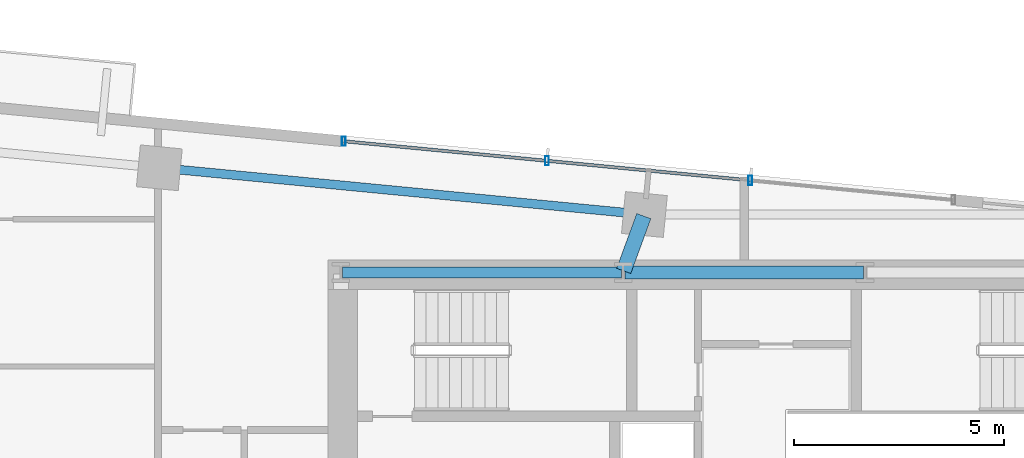
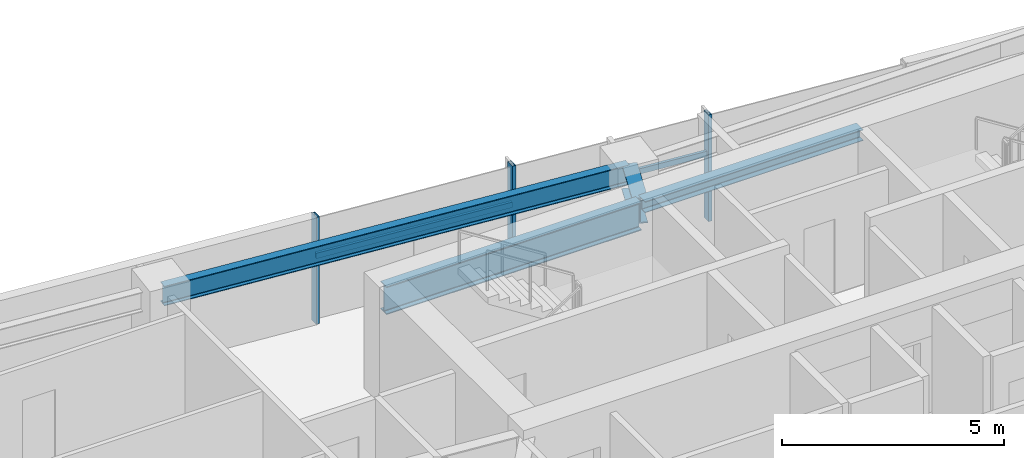
# One storey, part 7 of 19: 5 members, 4 beams, 1 element without a shape of its own.
"""IFC4 building model written with IfcOpenShell, lengths in metres."""

from ifc_helpers import new_model, si_unit, direction, frame, origin, origin_2d, place, context, subcontext, project, spatial, hollow_rectangle, i_section, extrude, source, transform, mapped, material, material_profile, profile_set, type_object, type_shapes, element, aggregate, save


model = new_model("IFC4")

# Units and contexts
model_context = context("Model", 3, precision=1e-05, world=origin(), true_north=direction((0.0, 1.0)))
body_context = subcontext(model_context, "Body", "Model", "MODEL_VIEW")
ifc_project = project(units=[si_unit("LENGTHUNIT", "METRE"), si_unit("AREAUNIT", "SQUARE_METRE"), si_unit("VOLUMEUNIT", "CUBIC_METRE"), si_unit("PLANEANGLEUNIT", "RADIAN"), si_unit("MASSUNIT", "GRAM", prefix="KILO")], contexts=[model_context])

# Site, building, storey
site_placement = place(None, origin())
site = spatial("IfcSite", under=ifc_project, at=site_placement, CompositionType="ELEMENT")
building_placement = place(site_placement, origin())
building = spatial("IfcBuilding", under=site, at=building_placement, Name="Astriad Promenade Condominiums", CompositionType="ELEMENT")
storey_placement = place(building_placement, frame((0.0, 0.0, 143.800048828125)))
storey = spatial("IfcBuildingStorey", under=building, at=storey_placement, Name="L41", CompositionType="ELEMENT", Elevation=143.800048828125)

# Beams
ifc_material_1 = material(Name="Steel ASTM A992 Grade 50", Category="steel")
ifc_material_profile_1 = material_profile(ifc_material_1, i_section(OverallWidth=0.267822265625, OverallDepth=0.76953125, WebThickness=0.015625, FlangeThickness=0.025390625, FilletRadius=0.021484375, at=origin_2d()), Name="W30X132")
ifc_profile_set_1 = profile_set([ifc_material_profile_1], Name="Steel ASTM A992 Grade 50")
beam_type_1 = type_object("IfcBeamType", Name="STEEL FLOOR GIRDER W30X132", PredefinedType="BEAM", material=ifc_profile_set_1)
shared_shape_1 = source(origin(), body_context, "Body", "SweptSolid", [
    extrude(i_section(OverallWidth=0.267822265625, OverallDepth=0.76953125, WebThickness=0.015625, FlangeThickness=0.025390625, FilletRadius=0.021484375, at=origin_2d()), origin(), (0.0, 0.0, 1.0), 6.64013671875),
])
type_shapes(beam_type_1, [shared_shape_1])
beam_1_placement = place(storey_placement, frame((26.43994140625, 24.0, 2.55517578125), z_axis=(1.0, 0.0, 0.0), x_axis=(0.0, 1.0, 0.0)))
element("IfcBeam", 1, at=beam_1_placement, inside=storey, type_object=beam_type_1, Name="Core Ring Beam CG-N1-L41", PredefinedType="BEAM", context=body_context, shape_type="MappedRepresentation", body=[
    mapped(shared_shape_1, transform((0.0, 0.0, 0.0), scale=1.0)),
])
ifc_material_profile_2 = material_profile(ifc_material_1, i_section(OverallWidth=0.3046875, OverallDepth=0.307861328125, WebThickness=0.010009765625, FlangeThickness=0.015380859375, FilletRadius=0.01513671875, at=origin_2d()), Name="W12X65")
ifc_profile_set_2 = profile_set([ifc_material_profile_2], Name="Steel ASTM A992 Grade 50")
beam_type_2 = type_object("IfcBeamType", Name="STEEL OPENING LINTEL W12X65", PredefinedType="LINTEL", material=ifc_profile_set_2)
shared_shape_2 = source(origin(), body_context, "Body", "SweptSolid", [
    extrude(i_section(OverallWidth=0.3046875, OverallDepth=0.307861328125, WebThickness=0.010009765625, FlangeThickness=0.015380859375, FilletRadius=0.01513671875, at=origin_2d()), origin(), (0.0, 0.0, 1.0), 5.68017578125),
])
type_shapes(beam_type_2, [shared_shape_2])
beam_2_placement = place(storey_placement, frame((33.159912109375, 24.0, 2.7861328125), z_axis=(1.0, 0.0, 0.0), x_axis=(0.0, 1.0, 0.0)))
element("IfcBeam", 2, at=beam_2_placement, inside=storey, type_object=beam_type_2, Name="Core Ring Beam CG-N2-L41", PredefinedType="LINTEL", context=body_context, shape_type="MappedRepresentation", body=[
    mapped(shared_shape_2, transform((0.0, 0.0, 0.0), scale=1.0)),
])
ifc_material_profile_3 = material_profile(ifc_material_1, i_section(OverallWidth=0.210693359375, OverallDepth=0.53955078125, WebThickness=0.01171875, FlangeThickness=0.018798828125, FilletRadius=0.0166015625, at=origin_2d()), Name="W21X73")
ifc_profile_set_3 = profile_set([ifc_material_profile_3], Name="Steel ASTM A992 Grade 50")
beam_type_3 = type_object("IfcBeamType", Name="STEEL SPANDREL BEAM W21X73", PredefinedType="SPANDREL", material=ifc_profile_set_3)
shared_shape_3 = source(origin(), body_context, "Body", "SweptSolid", [
    extrude(i_section(OverallWidth=0.210693359375, OverallDepth=0.53955078125, WebThickness=0.01171875, FlangeThickness=0.018798828125, FilletRadius=0.0166015625, at=origin_2d()), origin(), (0.0, 0.0, 1.0), 11.52001953125),
])
type_shapes(beam_type_3, [shared_shape_3])
beam_3_placement = place(storey_placement, frame((33.58642578125, 25.384033203125, 2.670166015625), z_axis=(-0.9953953902, 0.095854145285, 0.0), x_axis=(-0.095854145285, -0.9953953902, 0.0)))
element("IfcBeam", 3, at=beam_3_placement, inside=storey, type_object=beam_type_3, Name="Perimeter Spandrel Beam SP-N2-L41", PredefinedType="SPANDREL", context=body_context, shape_type="MappedRepresentation", body=[
    mapped(shared_shape_3, transform((0.0, 0.0, 0.0), scale=1.0)),
])
ifc_material_profile_4 = material_profile(ifc_material_1, i_section(OverallWidth=0.35791015625, OverallDepth=0.706298828125, WebThickness=0.018310546875, FlangeThickness=0.0302734375, FilletRadius=0.020263671875, at=origin_2d()), Name="W27X178")
ifc_profile_set_4 = profile_set([ifc_material_profile_4], Name="Steel ASTM A992 Grade 50")
beam_type_4 = type_object("IfcBeamType", Name="STEEL FLOOR GIRDER W27X178", PredefinedType="BEAM", material=ifc_profile_set_4)
shared_shape_4 = source(origin(), body_context, "Body", "SweptSolid", [
    extrude(i_section(OverallWidth=0.35791015625, OverallDepth=0.706298828125, WebThickness=0.018310546875, FlangeThickness=0.0302734375, FilletRadius=0.020263671875, at=origin_2d()), origin(), (0.0, 0.0, 1.0), 1.39013671875),
])
type_shapes(beam_type_4, [shared_shape_4])
beam_4_placement = place(storey_placement, frame((33.6123046875, 25.3427734375, 2.586669921875), z_axis=(-0.344223686797, -0.938887668173, 0.0), x_axis=(0.938887668173, -0.344223686797, 0.0)))
element("IfcBeam", 4, at=beam_4_placement, inside=storey, type_object=beam_type_4, Name="Primary Floor Girder PG-NC-L41", PredefinedType="BEAM", context=body_context, shape_type="MappedRepresentation", body=[
    mapped(shared_shape_4, transform((0.0, 0.0, 0.0), scale=1.0)),
])

# Curtain wall, members
ifc_material_2 = material(Name="Anodised aluminium Black Dark Glass Unitised", Category="aluminium")
curtain_wall_type = type_object("IfcCurtainWallType", Name="CW-B34-DARK", PredefinedType="USERDEFINED", material=ifc_material_2)
curtain_wall_placement = place(storey_placement, origin())
curtain_wall = element("IfcCurtainWall", 5, at=curtain_wall_placement, inside=storey, type_object=curtain_wall_type, Name="CW-L41-N", ObjectType="UNITISED_CURTAIN_WALL", PredefinedType="USERDEFINED")
ifc_material_3 = material(Name="Anodised aluminium 6063-T6 Black", Category="aluminium")
ifc_material_profile_5 = material_profile(ifc_material_3, hollow_rectangle(XDim=0.0849609375, YDim=0.219970703125, WallThickness=0.0048828125, at=origin_2d()), Name="ALU-MUL-85X220")
ifc_profile_set_5 = profile_set([ifc_material_profile_5], Name="Anodised aluminium 6063-T6 Black")
member_type_1 = type_object("IfcMemberType", Name="MUL-ALU-MUL-85X220", PredefinedType="MULLION", material=ifc_profile_set_5)
shared_shape_5 = source(origin(), body_context, "Body", "SweptSolid", [
    extrude(hollow_rectangle(XDim=0.0849609375, YDim=0.219970703125, WallThickness=0.0048828125, at=origin_2d()), origin(), (0.0, 0.0, 1.0), 2.93994140625),
])
type_shapes(member_type_1, [shared_shape_5])
member_1_placement = place(storey_placement, frame((26.470458984375, 27.124267578125, 0.0), z_axis=(0.0, 0.0, 1.0), x_axis=(1.0, 0.0, 0.0)))
member_1 = element("IfcMember", 6, at=member_1_placement, type_object=member_type_1, Name="CW-L41-N-MUL-00", PredefinedType="MULLION", context=body_context, shape_type="MappedRepresentation", body=[
    mapped(shared_shape_5, transform((0.0, 0.0, 0.0), scale=1.0)),
])
member_2_placement = place(storey_placement, frame((31.30810546875, 26.658447265625, 0.0), z_axis=(0.0, 0.0, 1.0), x_axis=(1.0, 0.0, 0.0)))
member_2 = element("IfcMember", 7, at=member_2_placement, type_object=member_type_1, Name="CW-L41-N-MUL-01", PredefinedType="MULLION", context=body_context, shape_type="MappedRepresentation", body=[
    mapped(shared_shape_5, transform((0.0, 0.0, 0.0), scale=1.0)),
])
member_3_placement = place(storey_placement, frame((36.145751953125, 26.1923828125, 0.0), z_axis=(0.0, 0.0, 1.0), x_axis=(1.0, 0.0, 0.0)))
member_3 = element("IfcMember", 8, at=member_3_placement, type_object=member_type_1, Name="CW-L41-N-MUL-02", PredefinedType="MULLION", context=body_context, shape_type="MappedRepresentation", body=[
    mapped(shared_shape_5, transform((0.0, 0.0, 0.0), scale=1.0)),
])
ifc_material_profile_6 = material_profile(ifc_material_3, hollow_rectangle(XDim=0.074951171875, YDim=0.14990234375, WallThickness=0.004150390625, at=origin_2d()), Name="ALU-TRN-75X150")
ifc_profile_set_6 = profile_set([ifc_material_profile_6], Name="Anodised aluminium 6063-T6 Black")
member_type_2 = type_object("IfcMemberType", Name="TRN-ALU-TRN-75X150", PredefinedType="USERDEFINED", material=ifc_profile_set_6)
shared_shape_6 = source(origin(), body_context, "Body", "SweptSolid", [
    extrude(hollow_rectangle(XDim=0.074951171875, YDim=0.14990234375, WallThickness=0.004150390625, at=origin_2d()), origin(), (0.0, 0.0, 1.0), 4.860107421875),
])
type_shapes(member_type_2, [shared_shape_6])
member_4_placement = place(storey_placement, frame((26.470458984375, 27.124267578125, 1.82275390625), z_axis=(0.995396042559, -0.095847370639, 0.0), x_axis=(0.095847370639, 0.995396042559, 0.0)))
member_4 = element("IfcMember", 9, at=member_4_placement, type_object=member_type_2, Name="CW-L41-N-TRN-00-0", ObjectType="TRANSOM", PredefinedType="USERDEFINED", context=body_context, shape_type="MappedRepresentation", body=[
    mapped(shared_shape_6, transform((0.0, 0.0, 0.0), scale=1.0)),
])
member_5_placement = place(storey_placement, frame((31.30810546875, 26.658447265625, 1.82275390625), z_axis=(0.995391248663, -0.09589714326, 0.0), x_axis=(0.09589714326, 0.995391248663, 0.0)))
member_5 = element("IfcMember", 10, at=member_5_placement, type_object=member_type_2, Name="CW-L41-N-TRN-01-0", ObjectType="TRANSOM", PredefinedType="USERDEFINED", context=body_context, shape_type="MappedRepresentation", body=[
    mapped(shared_shape_6, transform((0.0, 0.0, 0.0), scale=1.0)),
])
aggregate(curtain_wall, [member_1, member_2, member_3, member_4, member_5])

save(model, "model.ifc")
